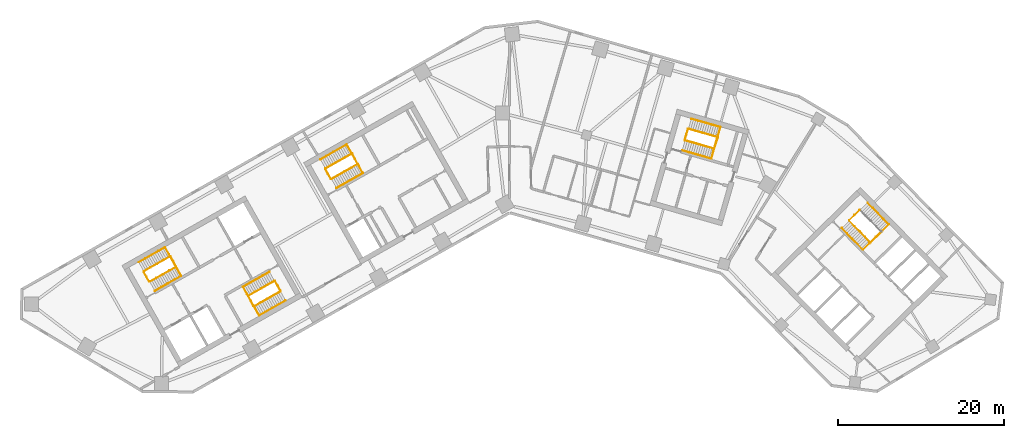
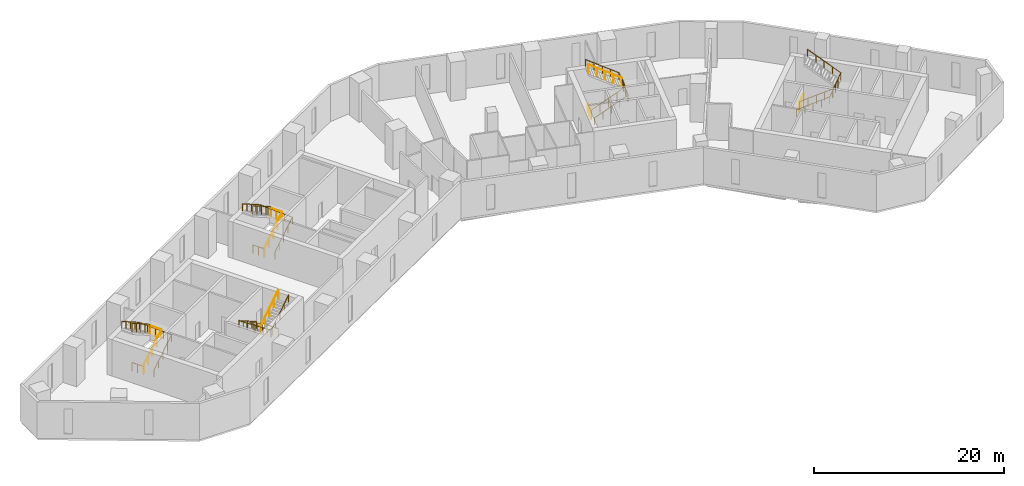
# One storey, part 9 of 10: 19 railings.
"""IFC4 building model written with IfcOpenShell, lengths in metres."""

from ifc_helpers import new_model, si_unit, direction, frame, origin, origin_2d, place, context, subcontext, project, spatial, circle, extrude, material, type_object, element, save


model = new_model("IFC4")

# Units and contexts
model_context = context("Model", 3, precision=1e-05, world=origin(), true_north=direction((0.0, 1.0)))
body_context = subcontext(model_context, "Body", "Model", "MODEL_VIEW")
ifc_project = project(units=[si_unit("LENGTHUNIT", "METRE"), si_unit("AREAUNIT", "SQUARE_METRE"), si_unit("VOLUMEUNIT", "CUBIC_METRE"), si_unit("PLANEANGLEUNIT", "RADIAN"), si_unit("MASSUNIT", "GRAM", prefix="KILO")], contexts=[model_context])

# Site, building, storey
site_placement = place(None, origin())
site = spatial("IfcSite", under=ifc_project, at=site_placement, CompositionType="ELEMENT")
building_placement = place(site_placement, origin())
building = spatial("IfcBuilding", under=site, at=building_placement, Name="Binnacle Exchange Tower", CompositionType="ELEMENT")
storey_placement = place(building_placement, frame((0.0, 0.0, 71.5)))
storey = spatial("IfcBuildingStorey", under=building, at=storey_placement, Name="L14", CompositionType="ELEMENT", Elevation=71.5)

# Railings
ifc_material_1 = material(Name="Steel guard rail", Category="steel")
railing_type_1 = type_object("IfcRailingType", Name="STAIR GUARD 1100", PredefinedType="GUARDRAIL", material=ifc_material_1)
railing_1_placement = place(storey_placement, frame((-43.26171875, 39.71728515625, 0.178466796875)))
element("IfcRailing", 1, at=railing_1_placement, inside=storey, type_object=railing_type_1, Name="L14 STA1 stair guard 1", PredefinedType="GUARDRAIL", context=body_context, shape_type="SweptSolid", body=[
    extrude(circle(Radius=0.02392578125, at=origin_2d()), frame((0.0, 0.0, 1.076171875), z_axis=(0.733795554141, 0.415191658331, 0.537735968274), x_axis=(-0.492450612189, 0.870340390052, 0.0)), (0.0, 0.0, 1.0), 4.317138671875),
    extrude(circle(Radius=0.02392578125, at=origin_2d()), frame((3.16796875, 1.79248046875, 3.3974609375), z_axis=(-0.460963092712, 0.887419307406, 0.0), x_axis=(-0.887419307406, -0.460963092712, 0.0)), (0.0, 0.0, 1.0), 1.40087890625),
    extrude(circle(Radius=0.02099609375, at=origin_2d()), origin(), (0.0, 0.0, 1.0), 1.052001953125),
    extrude(circle(Radius=0.02099609375, at=origin_2d()), frame((0.7919921875, 0.4482421875, 0.580322265625)), (0.0, 0.0, 1.0), 1.052001953125),
    extrude(circle(Radius=0.02099609375, at=origin_2d()), frame((1.583984375, 0.896240234375, 1.16064453125)), (0.0, 0.0, 1.0), 1.052001953125),
    extrude(circle(Radius=0.02099609375, at=origin_2d()), frame((2.3759765625, 1.34423828125, 1.7412109375)), (0.0, 0.0, 1.0), 1.052001953125),
    extrude(circle(Radius=0.02099609375, at=origin_2d()), frame((3.16796875, 1.79248046875, 2.321533203125)), (0.0, 0.0, 1.0), 1.052001953125),
    extrude(circle(Radius=0.02099609375, at=origin_2d()), frame((2.84521484375, 2.4140625, 2.321533203125)), (0.0, 0.0, 1.0), 1.052001953125),
    extrude(circle(Radius=0.02099609375, at=origin_2d()), frame((2.522216796875, 3.03564453125, 2.321533203125)), (0.0, 0.0, 1.0), 1.052001953125),
])
railing_2_placement = place(storey_placement, frame((-40.8076171875, 42.771728515625, 2.678466796875)))
element("IfcRailing", 2, at=railing_2_placement, inside=storey, type_object=railing_type_1, Name="L14 STA1 stair guard 2", PredefinedType="GUARDRAIL", context=body_context, shape_type="SweptSolid", body=[
    extrude(circle(Radius=0.02392578125, at=origin_2d()), frame((0.0, 0.0, 1.076171875), z_axis=(-0.733821652932, -0.415174429824, 0.537713654753), x_axis=(0.492421866095, -0.870356654361, 0.0)), (0.0, 0.0, 1.0), 4.3173828125),
    extrude(circle(Radius=0.02099609375, at=origin_2d()), origin(), (0.0, 0.0, 1.0), 1.052001953125),
    extrude(circle(Radius=0.02099609375, at=origin_2d()), frame((-0.7919921875, -0.4482421875, 0.580322265625)), (0.0, 0.0, 1.0), 1.052001953125),
    extrude(circle(Radius=0.02099609375, at=origin_2d()), frame((-1.583984375, -0.896240234375, 1.16064453125)), (0.0, 0.0, 1.0), 1.052001953125),
    extrude(circle(Radius=0.02099609375, at=origin_2d()), frame((-2.376220703125, -1.34423828125, 1.7412109375)), (0.0, 0.0, 1.0), 1.052001953125),
    extrude(circle(Radius=0.02099609375, at=origin_2d()), frame((-3.168212890625, -1.79248046875, 2.321533203125)), (0.0, 0.0, 1.0), 1.052001953125),
])
railing_3_placement = place(storey_placement, frame((-43.329833984375, 39.736328125, 0.0)))
element("IfcRailing", 3, at=railing_3_placement, inside=storey, type_object=railing_type_1, Name="L14 STA1 stair guard 3", PredefinedType="GUARDRAIL", context=body_context, shape_type="SweptSolid", body=[
    extrude(circle(Radius=0.02392578125, at=origin_2d()), frame((0.0, 0.0, 1.076171875), z_axis=(-0.4924922531, 0.870316827734, 0.0), x_axis=(-0.870316827734, -0.4924922531, 0.0)), (0.0, 0.0, 1.0), 1.349853515625),
    extrude(circle(Radius=0.02099609375, at=origin_2d()), origin(), (0.0, 0.0, 1.0), 1.052001953125),
    extrude(circle(Radius=0.02099609375, at=origin_2d()), frame((-0.33251953125, 0.58740234375, 0.0)), (0.0, 0.0, 1.0), 1.052001953125),
    extrude(circle(Radius=0.02099609375, at=origin_2d()), frame((-0.664794921875, 1.1748046875, 0.0)), (0.0, 0.0, 1.0), 1.052001953125),
])
railing_4_placement = place(storey_placement, frame((-28.265380859375, 39.814453125, 0.178466796875)))
element("IfcRailing", 4, at=railing_4_placement, inside=storey, type_object=railing_type_1, Name="L14 STA2 stair guard 1", PredefinedType="GUARDRAIL", context=body_context, shape_type="SweptSolid", body=[
    extrude(circle(Radius=0.02392578125, at=origin_2d()), frame((0.0, 0.0, 1.076171875), z_axis=(-0.733821652932, -0.415174429824, 0.537713654753), x_axis=(0.492421866095, -0.870356654361, 0.0)), (0.0, 0.0, 1.0), 4.3173828125),
    extrude(circle(Radius=0.02392578125, at=origin_2d()), frame((-3.168212890625, -1.79248046875, 3.3974609375), z_axis=(0.461100321709, -0.887348011391, 0.0), x_axis=(0.887348011391, 0.461100321709, 0.0)), (0.0, 0.0, 1.0), 1.40087890625),
    extrude(circle(Radius=0.02099609375, at=origin_2d()), origin(), (0.0, 0.0, 1.0), 1.052001953125),
    extrude(circle(Radius=0.02099609375, at=origin_2d()), frame((-0.7919921875, -0.4482421875, 0.580322265625)), (0.0, 0.0, 1.0), 1.052001953125),
    extrude(circle(Radius=0.02099609375, at=origin_2d()), frame((-1.583984375, -0.896240234375, 1.16064453125)), (0.0, 0.0, 1.0), 1.052001953125),
    extrude(circle(Radius=0.02099609375, at=origin_2d()), frame((-2.376220703125, -1.34423828125, 1.7412109375)), (0.0, 0.0, 1.0), 1.052001953125),
    extrude(circle(Radius=0.02099609375, at=origin_2d()), frame((-3.168212890625, -1.79248046875, 2.321533203125)), (0.0, 0.0, 1.0), 1.052001953125),
    extrude(circle(Radius=0.02099609375, at=origin_2d()), frame((-2.84521484375, -2.4140625, 2.321533203125)), (0.0, 0.0, 1.0), 1.052001953125),
    extrude(circle(Radius=0.02099609375, at=origin_2d()), frame((-2.522216796875, -3.03564453125, 2.321533203125)), (0.0, 0.0, 1.0), 1.052001953125),
])
railing_5_placement = place(storey_placement, frame((-30.719482421875, 36.760009765625, 2.678466796875)))
element("IfcRailing", 5, at=railing_5_placement, inside=storey, type_object=railing_type_1, Name="L14 STA2 stair guard 2", PredefinedType="GUARDRAIL", context=body_context, shape_type="SweptSolid", body=[
    extrude(circle(Radius=0.02392578125, at=origin_2d()), frame((0.0, 0.0, 1.076171875), z_axis=(0.733795554141, 0.415191658331, 0.537735968274), x_axis=(-0.492450612189, 0.870340390052, 0.0)), (0.0, 0.0, 1.0), 4.317138671875),
    extrude(circle(Radius=0.02099609375, at=origin_2d()), origin(), (0.0, 0.0, 1.0), 1.052001953125),
    extrude(circle(Radius=0.02099609375, at=origin_2d()), frame((0.7919921875, 0.4482421875, 0.580322265625)), (0.0, 0.0, 1.0), 1.052001953125),
    extrude(circle(Radius=0.02099609375, at=origin_2d()), frame((1.583984375, 0.896240234375, 1.16064453125)), (0.0, 0.0, 1.0), 1.052001953125),
    extrude(circle(Radius=0.02099609375, at=origin_2d()), frame((2.3759765625, 1.34423828125, 1.7412109375)), (0.0, 0.0, 1.0), 1.052001953125),
    extrude(circle(Radius=0.02099609375, at=origin_2d()), frame((3.16796875, 1.79248046875, 2.321533203125)), (0.0, 0.0, 1.0), 1.052001953125),
])
railing_6_placement = place(storey_placement, frame((-28.197265625, 39.795654296875, 0.0)))
element("IfcRailing", 6, at=railing_6_placement, inside=storey, type_object=railing_type_1, Name="L14 STA2 stair guard 3", PredefinedType="GUARDRAIL", context=body_context, shape_type="SweptSolid", body=[
    extrude(circle(Radius=0.02392578125, at=origin_2d()), frame((0.0, 0.0, 1.076171875), z_axis=(0.49241474071, -0.870360685654, 0.0), x_axis=(0.870360685654, 0.49241474071, 0.0)), (0.0, 0.0, 1.0), 1.35009765625),
    extrude(circle(Radius=0.02099609375, at=origin_2d()), origin(), (0.0, 0.0, 1.0), 1.052001953125),
    extrude(circle(Radius=0.02099609375, at=origin_2d()), frame((0.33251953125, -0.58740234375, 0.0)), (0.0, 0.0, 1.0), 1.052001953125),
    extrude(circle(Radius=0.02099609375, at=origin_2d()), frame((0.664794921875, -1.175048828125, 0.0)), (0.0, 0.0, 1.0), 1.052001953125),
])
railing_7_placement = place(storey_placement, frame((40.822509765625, 47.046875, 0.178466796875)))
element("IfcRailing", 7, at=railing_7_placement, inside=storey, type_object=railing_type_1, Name="L14 STB1 stair guard 1", PredefinedType="GUARDRAIL", context=body_context, shape_type="SweptSolid", body=[
    extrude(circle(Radius=0.02392578125, at=origin_2d()), frame((0.0, 0.0, 1.076171875), z_axis=(0.590946962671, -0.60135215321, 0.537733461056), x_axis=(0.713250539553, 0.700909172309, 0.0)), (0.0, 0.0, 1.0), 4.317138671875),
    extrude(circle(Radius=0.02392578125, at=origin_2d()), frame((2.55126953125, -2.59619140625, 3.3974609375), z_axis=(0.732527851538, 0.680737061369, 0.0), x_axis=(-0.680737061369, 0.732527851538, 0.0)), (0.0, 0.0, 1.0), 1.80078125),
    extrude(circle(Radius=0.02099609375, at=origin_2d()), origin(), (0.0, 0.0, 1.0), 1.052001953125),
    extrude(circle(Radius=0.02099609375, at=origin_2d()), frame((0.6376953125, -0.64892578125, 0.580322265625)), (0.0, 0.0, 1.0), 1.052001953125),
    extrude(circle(Radius=0.02099609375, at=origin_2d()), frame((1.275634765625, -1.298095703125, 1.16064453125)), (0.0, 0.0, 1.0), 1.052001953125),
    extrude(circle(Radius=0.02099609375, at=origin_2d()), frame((1.91357421875, -1.947265625, 1.7412109375)), (0.0, 0.0, 1.0), 1.052001953125),
    extrude(circle(Radius=0.02099609375, at=origin_2d()), frame((2.55126953125, -2.59619140625, 2.321533203125)), (0.0, 0.0, 1.0), 1.052001953125),
    extrude(circle(Radius=0.02099609375, at=origin_2d()), frame((3.2109375, -1.9833984375, 2.321533203125)), (0.0, 0.0, 1.0), 1.052001953125),
    extrude(circle(Radius=0.02099609375, at=origin_2d()), frame((3.870361328125, -1.370361328125, 2.321533203125)), (0.0, 0.0, 1.0), 1.052001953125),
])
railing_8_placement = place(storey_placement, frame((40.8232421875, 47.117431640625, 0.0)))
element("IfcRailing", 8, at=railing_8_placement, inside=storey, type_object=railing_type_1, Name="L14 STB1 stair guard 3", PredefinedType="GUARDRAIL", context=body_context, shape_type="SweptSolid", body=[
    extrude(circle(Radius=0.02392578125, at=origin_2d()), frame((0.0, 0.0, 1.076171875), z_axis=(0.713218950569, 0.700941316052, 0.0), x_axis=(-0.700941316052, 0.713218950569, 0.0)), (0.0, 0.0, 1.0), 1.75),
    extrude(circle(Radius=0.02099609375, at=origin_2d()), origin(), (0.0, 0.0, 1.0), 1.052001953125),
    extrude(circle(Radius=0.02099609375, at=origin_2d()), frame((0.6240234375, 0.61328125, 0.0)), (0.0, 0.0, 1.0), 1.052001953125),
    extrude(circle(Radius=0.02099609375, at=origin_2d()), frame((1.248046875, 1.2265625, 0.0)), (0.0, 0.0, 1.0), 1.052001953125),
])
railing_9_placement = place(storey_placement, frame((-21.423828125, 52.07275390625, 0.178466796875)))
element("IfcRailing", 9, at=railing_9_placement, inside=storey, type_object=railing_type_1, Name="L14 STC1 stair guard 1", PredefinedType="GUARDRAIL", context=body_context, shape_type="SweptSolid", body=[
    extrude(circle(Radius=0.02392578125, at=origin_2d()), frame((0.0, 0.0, 1.076171875), z_axis=(0.733838880464, 0.415127627455, 0.537726278364), x_axis=(-0.492371057291, 0.870385398511, 0.0)), (0.0, 0.0, 1.0), 4.3173828125),
    extrude(circle(Radius=0.02392578125, at=origin_2d()), frame((3.168212890625, 1.792236328125, 3.3974609375), z_axis=(-0.461100321709, 0.887348011391, 0.0), x_axis=(-0.887348011391, -0.461100321709, 0.0)), (0.0, 0.0, 1.0), 1.40087890625),
    extrude(circle(Radius=0.02099609375, at=origin_2d()), origin(), (0.0, 0.0, 1.0), 1.052001953125),
    extrude(circle(Radius=0.02099609375, at=origin_2d()), frame((0.7919921875, 0.447998046875, 0.580322265625)), (0.0, 0.0, 1.0), 1.052001953125),
    extrude(circle(Radius=0.02099609375, at=origin_2d()), frame((1.583984375, 0.89599609375, 1.16064453125)), (0.0, 0.0, 1.0), 1.052001953125),
    extrude(circle(Radius=0.02099609375, at=origin_2d()), frame((2.376220703125, 1.34423828125, 1.7412109375)), (0.0, 0.0, 1.0), 1.052001953125),
    extrude(circle(Radius=0.02099609375, at=origin_2d()), frame((3.168212890625, 1.792236328125, 2.321533203125)), (0.0, 0.0, 1.0), 1.052001953125),
    extrude(circle(Radius=0.02099609375, at=origin_2d()), frame((2.84521484375, 2.413818359375, 2.321533203125)), (0.0, 0.0, 1.0), 1.052001953125),
    extrude(circle(Radius=0.02099609375, at=origin_2d()), frame((2.522216796875, 3.035400390625, 2.321533203125)), (0.0, 0.0, 1.0), 1.052001953125),
])
railing_10_placement = place(storey_placement, frame((-18.9697265625, 55.126953125, 2.678466796875)))
element("IfcRailing", 10, at=railing_10_placement, inside=storey, type_object=railing_type_1, Name="L14 STC1 stair guard 2", PredefinedType="GUARDRAIL", context=body_context, shape_type="SweptSolid", body=[
    extrude(circle(Radius=0.02392578125, at=origin_2d()), frame((0.0, 0.0, 1.076171875), z_axis=(-0.733812782489, -0.415144854829, 0.537748593457), x_axis=(0.492399802317, -0.870369137021, 0.0)), (0.0, 0.0, 1.0), 4.317138671875),
    extrude(circle(Radius=0.02099609375, at=origin_2d()), origin(), (0.0, 0.0, 1.0), 1.052001953125),
    extrude(circle(Radius=0.02099609375, at=origin_2d()), frame((-0.7919921875, -0.447998046875, 0.580322265625)), (0.0, 0.0, 1.0), 1.052001953125),
    extrude(circle(Radius=0.02099609375, at=origin_2d()), frame((-1.583984375, -0.89599609375, 1.16064453125)), (0.0, 0.0, 1.0), 1.052001953125),
    extrude(circle(Radius=0.02099609375, at=origin_2d()), frame((-2.3759765625, -1.34423828125, 1.7412109375)), (0.0, 0.0, 1.0), 1.052001953125),
    extrude(circle(Radius=0.02099609375, at=origin_2d()), frame((-3.16796875, -1.792236328125, 2.321533203125)), (0.0, 0.0, 1.0), 1.052001953125),
])
railing_11_placement = place(storey_placement, frame((-21.491943359375, 52.091552734375, 0.0)))
element("IfcRailing", 11, at=railing_11_placement, inside=storey, type_object=railing_type_1, Name="L14 STC1 stair guard 3", PredefinedType="GUARDRAIL", context=body_context, shape_type="SweptSolid", body=[
    extrude(circle(Radius=0.02392578125, at=origin_2d()), frame((0.0, 0.0, 1.076171875), z_axis=(-0.49241474071, 0.870360685654, 0.0), x_axis=(-0.870360685654, -0.49241474071, 0.0)), (0.0, 0.0, 1.0), 1.35009765625),
    extrude(circle(Radius=0.02099609375, at=origin_2d()), origin(), (0.0, 0.0, 1.0), 1.052001953125),
    extrude(circle(Radius=0.02099609375, at=origin_2d()), frame((-0.33251953125, 0.58740234375, 0.0)), (0.0, 0.0, 1.0), 1.052001953125),
    extrude(circle(Radius=0.02099609375, at=origin_2d()), frame((-0.664794921875, 1.175048828125, 0.0)), (0.0, 0.0, 1.0), 1.052001953125),
])
railing_12_placement = place(storey_placement, frame((21.086669921875, 56.71044921875, 0.178466796875)))
element("IfcRailing", 12, at=railing_12_placement, inside=storey, type_object=railing_type_1, Name="L14 STD1 stair guard 1", PredefinedType="GUARDRAIL", context=body_context, shape_type="SweptSolid", body=[
    extrude(circle(Radius=0.02392578125, at=origin_2d()), frame((0.0, 0.0, 1.076171875), z_axis=(0.810455892038, -0.232415135102, 0.537721537635), x_axis=(0.275659984683, 0.961255206927, 0.0)), (0.0, 0.0, 1.0), 4.3173828125),
    extrude(circle(Radius=0.02392578125, at=origin_2d()), frame((3.4990234375, -1.00341796875, 3.3974609375), z_axis=(0.309684985722, 0.950839213337, 0.0), x_axis=(-0.950839213337, 0.309684985722, 0.0)), (0.0, 0.0, 1.0), 1.40087890625),
    extrude(circle(Radius=0.02099609375, at=origin_2d()), origin(), (0.0, 0.0, 1.0), 1.052001953125),
    extrude(circle(Radius=0.02099609375, at=origin_2d()), frame((0.874755859375, -0.2509765625, 0.580322265625)), (0.0, 0.0, 1.0), 1.052001953125),
    extrude(circle(Radius=0.02099609375, at=origin_2d()), frame((1.74951171875, -0.501708984375, 1.16064453125)), (0.0, 0.0, 1.0), 1.052001953125),
    extrude(circle(Radius=0.02099609375, at=origin_2d()), frame((2.624267578125, -0.75244140625, 1.7412109375)), (0.0, 0.0, 1.0), 1.052001953125),
    extrude(circle(Radius=0.02099609375, at=origin_2d()), frame((3.4990234375, -1.00341796875, 2.321533203125)), (0.0, 0.0, 1.0), 1.052001953125),
    extrude(circle(Radius=0.02099609375, at=origin_2d()), frame((3.7158203125, -0.33740234375, 2.321533203125)), (0.0, 0.0, 1.0), 1.052001953125),
    extrude(circle(Radius=0.02099609375, at=origin_2d()), frame((3.932861328125, 0.32861328125, 2.321533203125)), (0.0, 0.0, 1.0), 1.052001953125),
])
railing_13_placement = place(storey_placement, frame((24.9853515625, 57.100830078125, 2.678466796875)))
element("IfcRailing", 13, at=railing_13_placement, inside=storey, type_object=railing_type_1, Name="L14 STD1 stair guard 2", PredefinedType="GUARDRAIL", context=body_context, shape_type="SweptSolid", body=[
    extrude(circle(Radius=0.02392578125, at=origin_2d()), frame((0.0, 0.0, 1.076171875), z_axis=(-0.810455892038, 0.232415135102, 0.537721537635), x_axis=(-0.275659984683, -0.961255206927, 0.0)), (0.0, 0.0, 1.0), 4.3173828125),
    extrude(circle(Radius=0.02099609375, at=origin_2d()), origin(), (0.0, 0.0, 1.0), 1.052001953125),
    extrude(circle(Radius=0.02099609375, at=origin_2d()), frame((-0.874755859375, 0.2509765625, 0.580322265625)), (0.0, 0.0, 1.0), 1.052001953125),
    extrude(circle(Radius=0.02099609375, at=origin_2d()), frame((-1.74951171875, 0.501708984375, 1.16064453125)), (0.0, 0.0, 1.0), 1.052001953125),
    extrude(circle(Radius=0.02099609375, at=origin_2d()), frame((-2.624267578125, 0.75244140625, 1.7412109375)), (0.0, 0.0, 1.0), 1.052001953125),
    extrude(circle(Radius=0.02099609375, at=origin_2d()), frame((-3.4990234375, 1.00341796875, 2.321533203125)), (0.0, 0.0, 1.0), 1.052001953125),
])
railing_14_placement = place(storey_placement, frame((21.05224609375, 56.772216796875, 0.0)))
element("IfcRailing", 14, at=railing_14_placement, inside=storey, type_object=railing_type_1, Name="L14 STD1 stair guard 3", PredefinedType="GUARDRAIL", context=body_context, shape_type="SweptSolid", body=[
    extrude(circle(Radius=0.02392578125, at=origin_2d()), frame((0.0, 0.0, 1.076171875), z_axis=(0.275795817769, 0.961216243569, 0.0), x_axis=(-0.961216243569, 0.275795817769, 0.0)), (0.0, 0.0, 1.0), 1.349853515625),
    extrude(circle(Radius=0.02099609375, at=origin_2d()), origin(), (0.0, 0.0, 1.0), 1.052001953125),
    extrude(circle(Radius=0.02099609375, at=origin_2d()), frame((0.18603515625, 0.64892578125, 0.0)), (0.0, 0.0, 1.0), 1.052001953125),
    extrude(circle(Radius=0.02099609375, at=origin_2d()), frame((0.372314453125, 1.297607421875, 0.0)), (0.0, 0.0, 1.0), 1.052001953125),
])
ifc_material_2 = material(Name="Steel handrail", Category="steel")
railing_type_2 = type_object("IfcRailingType", Name="STAIR HANDRAIL 900", PredefinedType="HANDRAIL", material=ifc_material_2)
railing_15_placement = place(storey_placement, frame((-42.646240234375, 38.62939453125, 0.178466796875)))
element("IfcRailing", 15, at=railing_15_placement, inside=storey, type_object=railing_type_2, Name="L14 STA1 stair handrail 1", PredefinedType="HANDRAIL", context=body_context, shape_type="SweptSolid", body=[
    extrude(circle(Radius=0.02392578125, at=origin_2d()), frame((0.0, 0.0, 0.8759765625), z_axis=(0.733821652932, 0.415174429824, 0.537713654753), x_axis=(-0.492421866095, 0.870356654361, 0.0)), (0.0, 0.0, 1.0), 4.3173828125),
    extrude(circle(Radius=0.02392578125, at=origin_2d()), frame((3.168212890625, 1.79248046875, 3.197265625), z_axis=(-0.491985021148, 0.869432866815, 0.045135674003), x_axis=(-0.870319839224, -0.492486931251, 0.0)), (0.0, 0.0, 1.0), 3.9541015625),
    extrude(circle(Radius=0.02392578125, at=origin_2d()), frame((1.222900390625, 5.230224609375, 3.3759765625), z_axis=(-0.733812782489, -0.415144854829, 0.537748593457), x_axis=(0.492399802317, -0.870369137021, 0.0)), (0.0, 0.0, 1.0), 4.317138671875),
    extrude(circle(Radius=0.02099609375, at=origin_2d()), origin(), (0.0, 0.0, 1.0), 0.851806640625),
    extrude(circle(Radius=0.02099609375, at=origin_2d()), frame((0.7919921875, 0.4482421875, 0.580322265625)), (0.0, 0.0, 1.0), 0.851806640625),
    extrude(circle(Radius=0.02099609375, at=origin_2d()), frame((1.583984375, 0.896240234375, 1.16064453125)), (0.0, 0.0, 1.0), 0.851806640625),
    extrude(circle(Radius=0.02099609375, at=origin_2d()), frame((2.376220703125, 1.34423828125, 1.7412109375)), (0.0, 0.0, 1.0), 0.851806640625),
    extrude(circle(Radius=0.02099609375, at=origin_2d()), frame((3.168212890625, 1.79248046875, 2.321533203125)), (0.0, 0.0, 1.0), 0.851806640625),
    extrude(circle(Radius=0.02099609375, at=origin_2d()), frame((2.681884765625, 2.65185546875, 2.3662109375)), (0.0, 0.0, 1.0), 0.851806640625),
    extrude(circle(Radius=0.02099609375, at=origin_2d()), frame((2.195556640625, 3.51123046875, 2.41064453125)), (0.0, 0.0, 1.0), 0.851806640625),
    extrude(circle(Radius=0.02099609375, at=origin_2d()), frame((1.709228515625, 4.370849609375, 2.455322265625)), (0.0, 0.0, 1.0), 0.851806640625),
    extrude(circle(Radius=0.02099609375, at=origin_2d()), frame((1.222900390625, 5.230224609375, 2.5)), (0.0, 0.0, 1.0), 0.851806640625),
    extrude(circle(Radius=0.02099609375, at=origin_2d()), frame((0.430908203125, 4.7822265625, 3.080322265625)), (0.0, 0.0, 1.0), 0.851806640625),
    extrude(circle(Radius=0.02099609375, at=origin_2d()), frame((-0.361083984375, 4.333984375, 3.66064453125)), (0.0, 0.0, 1.0), 0.851806640625),
    extrude(circle(Radius=0.02099609375, at=origin_2d()), frame((-1.153076171875, 3.885986328125, 4.2412109375)), (0.0, 0.0, 1.0), 0.851806640625),
    extrude(circle(Radius=0.02099609375, at=origin_2d()), frame((-1.945068359375, 3.43798828125, 4.821533203125)), (0.0, 0.0, 1.0), 0.851806640625),
])
railing_16_placement = place(storey_placement, frame((-28.880859375, 40.90234375, 0.178466796875)))
element("IfcRailing", 16, at=railing_16_placement, inside=storey, type_object=railing_type_2, Name="L14 STA2 stair handrail 1", PredefinedType="HANDRAIL", context=body_context, shape_type="SweptSolid", body=[
    extrude(circle(Radius=0.02392578125, at=origin_2d()), frame((0.0, 0.0, 0.8759765625), z_axis=(-0.733838880464, -0.415127627455, 0.537726278364), x_axis=(0.492371057291, -0.870385398511, 0.0)), (0.0, 0.0, 1.0), 4.3173828125),
    extrude(circle(Radius=0.02392578125, at=origin_2d()), frame((-3.168212890625, -1.792236328125, 3.197265625), z_axis=(0.491911810019, -0.86947434526, 0.045134621956), x_axis=(0.870361318571, 0.492413622004, 0.0)), (0.0, 0.0, 1.0), 3.9541015625),
    extrude(circle(Radius=0.02392578125, at=origin_2d()), frame((-1.22314453125, -5.230224609375, 3.3759765625), z_axis=(0.733821652932, 0.415174429824, 0.537713654753), x_axis=(-0.492421866095, 0.870356654361, 0.0)), (0.0, 0.0, 1.0), 4.3173828125),
    extrude(circle(Radius=0.02099609375, at=origin_2d()), origin(), (0.0, 0.0, 1.0), 0.851806640625),
    extrude(circle(Radius=0.02099609375, at=origin_2d()), frame((-0.7919921875, -0.447998046875, 0.580322265625)), (0.0, 0.0, 1.0), 0.851806640625),
    extrude(circle(Radius=0.02099609375, at=origin_2d()), frame((-1.583984375, -0.89599609375, 1.16064453125)), (0.0, 0.0, 1.0), 0.851806640625),
    extrude(circle(Radius=0.02099609375, at=origin_2d()), frame((-2.376220703125, -1.34423828125, 1.7412109375)), (0.0, 0.0, 1.0), 0.851806640625),
    extrude(circle(Radius=0.02099609375, at=origin_2d()), frame((-3.168212890625, -1.792236328125, 2.321533203125)), (0.0, 0.0, 1.0), 0.851806640625),
    extrude(circle(Radius=0.02099609375, at=origin_2d()), frame((-2.681884765625, -2.65185546875, 2.3662109375)), (0.0, 0.0, 1.0), 0.851806640625),
    extrude(circle(Radius=0.02099609375, at=origin_2d()), frame((-2.19580078125, -3.51123046875, 2.41064453125)), (0.0, 0.0, 1.0), 0.851806640625),
    extrude(circle(Radius=0.02099609375, at=origin_2d()), frame((-1.70947265625, -4.37060546875, 2.455322265625)), (0.0, 0.0, 1.0), 0.851806640625),
    extrude(circle(Radius=0.02099609375, at=origin_2d()), frame((-1.22314453125, -5.230224609375, 2.5)), (0.0, 0.0, 1.0), 0.851806640625),
    extrude(circle(Radius=0.02099609375, at=origin_2d()), frame((-0.43115234375, -4.7822265625, 3.080322265625)), (0.0, 0.0, 1.0), 0.851806640625),
    extrude(circle(Radius=0.02099609375, at=origin_2d()), frame((0.36083984375, -4.333984375, 3.66064453125)), (0.0, 0.0, 1.0), 0.851806640625),
    extrude(circle(Radius=0.02099609375, at=origin_2d()), frame((1.153076171875, -3.8857421875, 4.2412109375)), (0.0, 0.0, 1.0), 0.851806640625),
    extrude(circle(Radius=0.02099609375, at=origin_2d()), frame((1.945068359375, -3.437744140625, 4.821533203125)), (0.0, 0.0, 1.0), 0.851806640625),
])
railing_17_placement = place(storey_placement, frame((39.930908203125, 46.170654296875, 0.178466796875)))
element("IfcRailing", 17, at=railing_17_placement, inside=storey, type_object=railing_type_2, Name="L14 STB1 stair handrail 1", PredefinedType="HANDRAIL", context=body_context, shape_type="SweptSolid", body=[
    extrude(circle(Radius=0.02392578125, at=origin_2d()), frame((0.0, 0.0, 0.8759765625), z_axis=(0.590983762497, -0.601332057257, 0.53771549111), x_axis=(0.713217009097, 0.700943291525, 0.0)), (0.0, 0.0, 1.0), 4.3173828125),
    extrude(circle(Radius=0.02392578125, at=origin_2d()), frame((2.551513671875, -2.59619140625, 3.197265625), z_axis=(0.712654164256, 0.700316745611, 0.040993877406), x_axis=(-0.700905928746, 0.713253726978, 0.0)), (0.0, 0.0, 1.0), 4.353515625),
    extrude(circle(Radius=0.02392578125, at=origin_2d()), frame((5.654052734375, 0.45263671875, 3.3759765625), z_axis=(-0.590926866753, 0.601388251475, 0.537715174732), x_axis=(-0.713283488215, -0.700875641922, 0.0)), (0.0, 0.0, 1.0), 4.3173828125),
    extrude(circle(Radius=0.02099609375, at=origin_2d()), origin(), (0.0, 0.0, 1.0), 0.851806640625),
    extrude(circle(Radius=0.02099609375, at=origin_2d()), frame((0.637939453125, -0.64892578125, 0.580322265625)), (0.0, 0.0, 1.0), 0.851806640625),
    extrude(circle(Radius=0.02099609375, at=origin_2d()), frame((1.27587890625, -1.298095703125, 1.16064453125)), (0.0, 0.0, 1.0), 0.851806640625),
    extrude(circle(Radius=0.02099609375, at=origin_2d()), frame((1.91357421875, -1.947265625, 1.7412109375)), (0.0, 0.0, 1.0), 0.851806640625),
    extrude(circle(Radius=0.02099609375, at=origin_2d()), frame((2.551513671875, -2.59619140625, 2.321533203125)), (0.0, 0.0, 1.0), 0.851806640625),
    extrude(circle(Radius=0.02099609375, at=origin_2d()), frame((3.3271484375, -1.833984375, 2.3662109375)), (0.0, 0.0, 1.0), 0.851806640625),
    extrude(circle(Radius=0.02099609375, at=origin_2d()), frame((4.102783203125, -1.07177734375, 2.41064453125)), (0.0, 0.0, 1.0), 0.851806640625),
    extrude(circle(Radius=0.02099609375, at=origin_2d()), frame((4.87841796875, -0.3095703125, 2.455322265625)), (0.0, 0.0, 1.0), 0.851806640625),
    extrude(circle(Radius=0.02099609375, at=origin_2d()), frame((5.654052734375, 0.45263671875, 2.5)), (0.0, 0.0, 1.0), 0.851806640625),
    extrude(circle(Radius=0.02099609375, at=origin_2d()), frame((5.01611328125, 1.101806640625, 3.080322265625)), (0.0, 0.0, 1.0), 0.851806640625),
    extrude(circle(Radius=0.02099609375, at=origin_2d()), frame((4.37841796875, 1.7509765625, 3.66064453125)), (0.0, 0.0, 1.0), 0.851806640625),
    extrude(circle(Radius=0.02099609375, at=origin_2d()), frame((3.74072265625, 2.39990234375, 4.2412109375)), (0.0, 0.0, 1.0), 0.851806640625),
    extrude(circle(Radius=0.02099609375, at=origin_2d()), frame((3.102783203125, 3.049072265625, 4.821533203125)), (0.0, 0.0, 1.0), 0.851806640625),
])
railing_18_placement = place(storey_placement, frame((-20.808349609375, 50.984619140625, 0.178466796875)))
element("IfcRailing", 18, at=railing_18_placement, inside=storey, type_object=railing_type_2, Name="L14 STC1 stair handrail 1", PredefinedType="HANDRAIL", context=body_context, shape_type="SweptSolid", body=[
    extrude(circle(Radius=0.02392578125, at=origin_2d()), frame((0.0, 0.0, 0.8759765625), z_axis=(0.733821652932, 0.415174429824, 0.537713654753), x_axis=(-0.492421866095, 0.870356654361, 0.0)), (0.0, 0.0, 1.0), 4.3173828125),
    extrude(circle(Radius=0.02392578125, at=origin_2d()), frame((3.168212890625, 1.79248046875, 3.197265625), z_axis=(-0.491911810019, 0.86947434526, 0.045134621956), x_axis=(-0.870361318571, -0.492413622004, 0.0)), (0.0, 0.0, 1.0), 3.9541015625),
    extrude(circle(Radius=0.02392578125, at=origin_2d()), frame((1.22314453125, 5.23046875, 3.3759765625), z_axis=(-0.733821652932, -0.415174429824, 0.537713654753), x_axis=(0.492421866095, -0.870356654361, 0.0)), (0.0, 0.0, 1.0), 4.3173828125),
    extrude(circle(Radius=0.02099609375, at=origin_2d()), origin(), (0.0, 0.0, 1.0), 0.851806640625),
    extrude(circle(Radius=0.02099609375, at=origin_2d()), frame((0.7919921875, 0.4482421875, 0.580322265625)), (0.0, 0.0, 1.0), 0.851806640625),
    extrude(circle(Radius=0.02099609375, at=origin_2d()), frame((1.583984375, 0.896240234375, 1.16064453125)), (0.0, 0.0, 1.0), 0.851806640625),
    extrude(circle(Radius=0.02099609375, at=origin_2d()), frame((2.376220703125, 1.34423828125, 1.7412109375)), (0.0, 0.0, 1.0), 0.851806640625),
    extrude(circle(Radius=0.02099609375, at=origin_2d()), frame((3.168212890625, 1.79248046875, 2.321533203125)), (0.0, 0.0, 1.0), 0.851806640625),
    extrude(circle(Radius=0.02099609375, at=origin_2d()), frame((2.681884765625, 2.65185546875, 2.3662109375)), (0.0, 0.0, 1.0), 0.851806640625),
    extrude(circle(Radius=0.02099609375, at=origin_2d()), frame((2.19580078125, 3.511474609375, 2.41064453125)), (0.0, 0.0, 1.0), 0.851806640625),
    extrude(circle(Radius=0.02099609375, at=origin_2d()), frame((1.70947265625, 4.37109375, 2.455322265625)), (0.0, 0.0, 1.0), 0.851806640625),
    extrude(circle(Radius=0.02099609375, at=origin_2d()), frame((1.22314453125, 5.23046875, 2.5)), (0.0, 0.0, 1.0), 0.851806640625),
    extrude(circle(Radius=0.02099609375, at=origin_2d()), frame((0.43115234375, 4.7822265625, 3.080322265625)), (0.0, 0.0, 1.0), 0.851806640625),
    extrude(circle(Radius=0.02099609375, at=origin_2d()), frame((-0.36083984375, 4.334228515625, 3.66064453125)), (0.0, 0.0, 1.0), 0.851806640625),
    extrude(circle(Radius=0.02099609375, at=origin_2d()), frame((-1.153076171875, 3.88623046875, 4.2412109375)), (0.0, 0.0, 1.0), 0.851806640625),
    extrude(circle(Radius=0.02099609375, at=origin_2d()), frame((-1.945068359375, 3.43798828125, 4.821533203125)), (0.0, 0.0, 1.0), 0.851806640625),
])
railing_19_placement = place(storey_placement, frame((20.7421875, 55.5087890625, 0.178466796875)))
element("IfcRailing", 19, at=railing_19_placement, inside=storey, type_object=railing_type_2, Name="L14 STD1 stair handrail 1", PredefinedType="HANDRAIL", context=body_context, shape_type="SweptSolid", body=[
    extrude(circle(Radius=0.02392578125, at=origin_2d()), frame((0.0, 0.0, 0.8759765625), z_axis=(0.810436485383, -0.2324257871, 0.537746182368), x_axis=(0.27567775811, 0.961250109848, 0.0)), (0.0, 0.0, 1.0), 4.317138671875),
    extrude(circle(Radius=0.02392578125, at=origin_2d()), frame((3.498779296875, -1.00341796875, 3.197265625), z_axis=(0.275370676617, 0.960278056821, 0.045133624351), x_axis=(-0.961257617982, 0.275651576943, 0.0)), (0.0, 0.0, 1.0), 3.9541015625),
    extrude(circle(Radius=0.02392578125, at=origin_2d()), frame((4.587646484375, 2.793701171875, 3.3759765625), z_axis=(-0.810466542589, 0.232361639932, 0.537728604067), x_axis=(-0.275598008994, -0.961272977587, 0.0)), (0.0, 0.0, 1.0), 4.3173828125),
    extrude(circle(Radius=0.02099609375, at=origin_2d()), origin(), (0.0, 0.0, 1.0), 0.851806640625),
    extrude(circle(Radius=0.02099609375, at=origin_2d()), frame((0.874755859375, -0.2509765625, 0.580322265625)), (0.0, 0.0, 1.0), 0.851806640625),
    extrude(circle(Radius=0.02099609375, at=origin_2d()), frame((1.74951171875, -0.501708984375, 1.16064453125)), (0.0, 0.0, 1.0), 0.851806640625),
    extrude(circle(Radius=0.02099609375, at=origin_2d()), frame((2.6240234375, -0.75244140625, 1.7412109375)), (0.0, 0.0, 1.0), 0.851806640625),
    extrude(circle(Radius=0.02099609375, at=origin_2d()), frame((3.498779296875, -1.00341796875, 2.321533203125)), (0.0, 0.0, 1.0), 0.851806640625),
    extrude(circle(Radius=0.02099609375, at=origin_2d()), frame((3.77099609375, -0.05419921875, 2.3662109375)), (0.0, 0.0, 1.0), 0.851806640625),
    extrude(circle(Radius=0.02099609375, at=origin_2d()), frame((4.043212890625, 0.89501953125, 2.41064453125)), (0.0, 0.0, 1.0), 0.851806640625),
    extrude(circle(Radius=0.02099609375, at=origin_2d()), frame((4.3154296875, 1.844482421875, 2.455322265625)), (0.0, 0.0, 1.0), 0.851806640625),
    extrude(circle(Radius=0.02099609375, at=origin_2d()), frame((4.587646484375, 2.793701171875, 2.5)), (0.0, 0.0, 1.0), 0.851806640625),
    extrude(circle(Radius=0.02099609375, at=origin_2d()), frame((3.712890625, 3.04443359375, 3.080322265625)), (0.0, 0.0, 1.0), 0.851806640625),
    extrude(circle(Radius=0.02099609375, at=origin_2d()), frame((2.838134765625, 3.29541015625, 3.66064453125)), (0.0, 0.0, 1.0), 0.851806640625),
    extrude(circle(Radius=0.02099609375, at=origin_2d()), frame((1.96337890625, 3.546142578125, 4.2412109375)), (0.0, 0.0, 1.0), 0.851806640625),
    extrude(circle(Radius=0.02099609375, at=origin_2d()), frame((1.088623046875, 3.796875, 4.821533203125)), (0.0, 0.0, 1.0), 0.851806640625),
])

save(model, "model.ifc")
